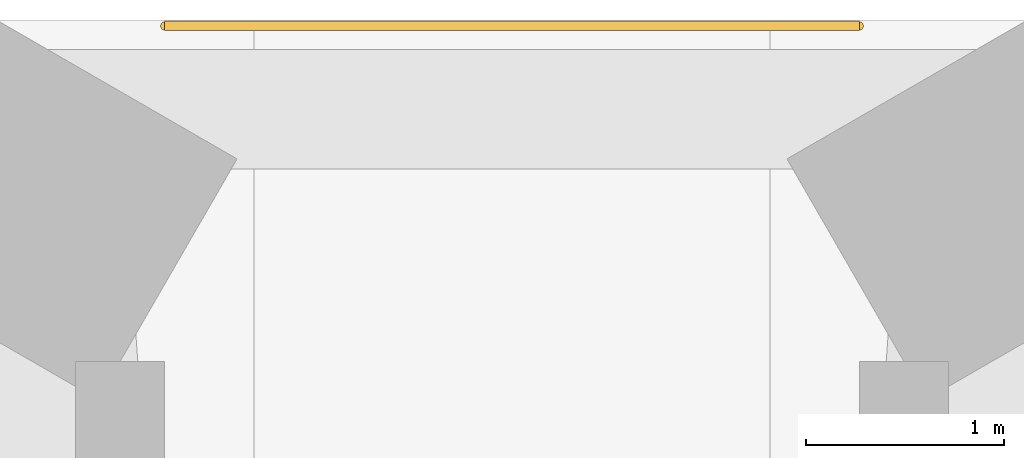
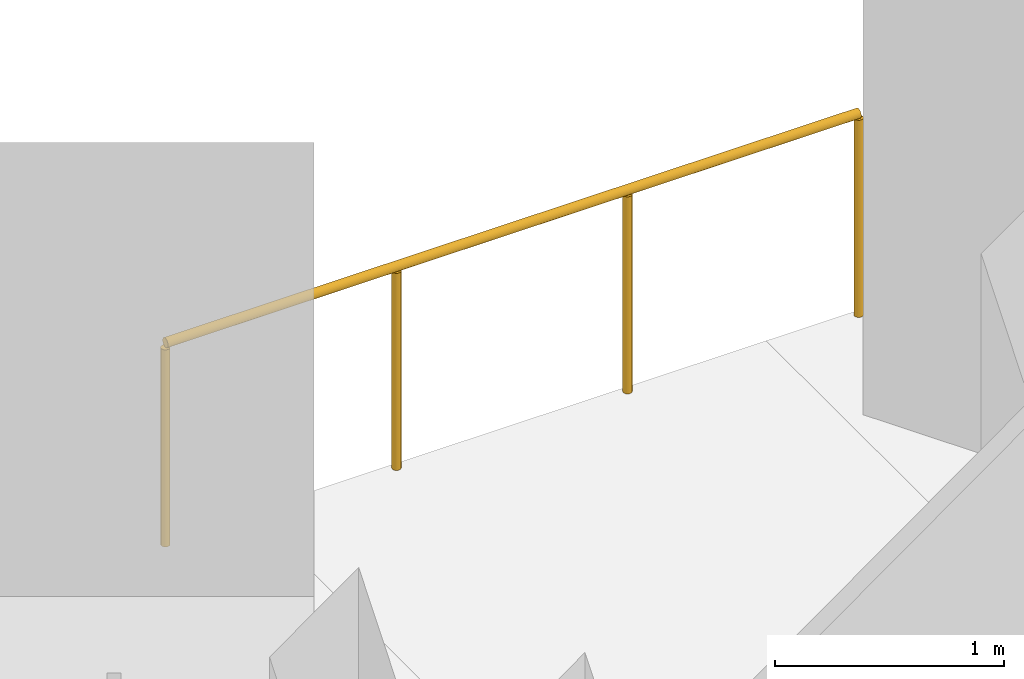
# One storey, part 20 of 20: 1 railing.
"""IFC4 building model written with IfcOpenShell, lengths in metres."""

from ifc_helpers import new_model, si_unit, direction, frame, origin, origin_2d, place, context, subcontext, project, spatial, circle, extrude, material, type_object, element, save


model = new_model("IFC4")

# Units and contexts
model_context = context("Model", 3, precision=1e-05, world=origin(), true_north=direction((0.0, 1.0)))
body_context = subcontext(model_context, "Body", "Model", "MODEL_VIEW")
ifc_project = project(units=[si_unit("LENGTHUNIT", "METRE"), si_unit("AREAUNIT", "SQUARE_METRE"), si_unit("VOLUMEUNIT", "CUBIC_METRE"), si_unit("PLANEANGLEUNIT", "RADIAN"), si_unit("MASSUNIT", "GRAM", prefix="KILO")], contexts=[model_context])

# Site, building, storey
site_placement = place(None, origin())
site = spatial("IfcSite", under=ifc_project, at=site_placement, CompositionType="ELEMENT")
building_placement = place(site_placement, origin())
building = spatial("IfcBuilding", under=site, at=building_placement, Name="Tramontana Tower", CompositionType="ELEMENT")
storey_placement = place(building_placement, frame((0.0, 0.0, 20.0)))
storey = spatial("IfcBuildingStorey", under=building, at=storey_placement, Name="L03", CompositionType="ELEMENT", Elevation=20.0)

# Railing
ifc_material = material(Name="Laminated glass balustrade", Category="glass")
railing_type = type_object("IfcRailingType", Name="GD1 Loggia glass balustrade 1100", PredefinedType="BALUSTRADE", material=ifc_material)
railing_placement = place(storey_placement, frame((-1.75, 33.469970703125, 0.0)))
element("IfcRailing", 1, at=railing_placement, inside=storey, type_object=railing_type, Name="Corner loggia balustrade L03 K00", PredefinedType="BALUSTRADE", context=body_context, shape_type="SweptSolid", body=[
    extrude(circle(Radius=0.02392578125, at=origin_2d()), frame((0.0, 0.0, 1.076171875), z_axis=(1.0, 0.0, 0.0), x_axis=(0.0, 1.0, 0.0)), (0.0, 0.0, 1.0), 3.5),
    extrude(circle(Radius=0.02099609375, at=origin_2d()), origin(), (0.0, 0.0, 1.0), 1.052001953125),
    extrude(circle(Radius=0.02099609375, at=origin_2d()), frame((1.166748046875, 0.0, 0.0)), (0.0, 0.0, 1.0), 1.052001953125),
    extrude(circle(Radius=0.02099609375, at=origin_2d()), frame((2.333251953125, 0.0, 0.0)), (0.0, 0.0, 1.0), 1.052001953125),
    extrude(circle(Radius=0.02099609375, at=origin_2d()), frame((3.5, 0.0, 0.0)), (0.0, 0.0, 1.0), 1.052001953125),
])

save(model, "model.ifc")
